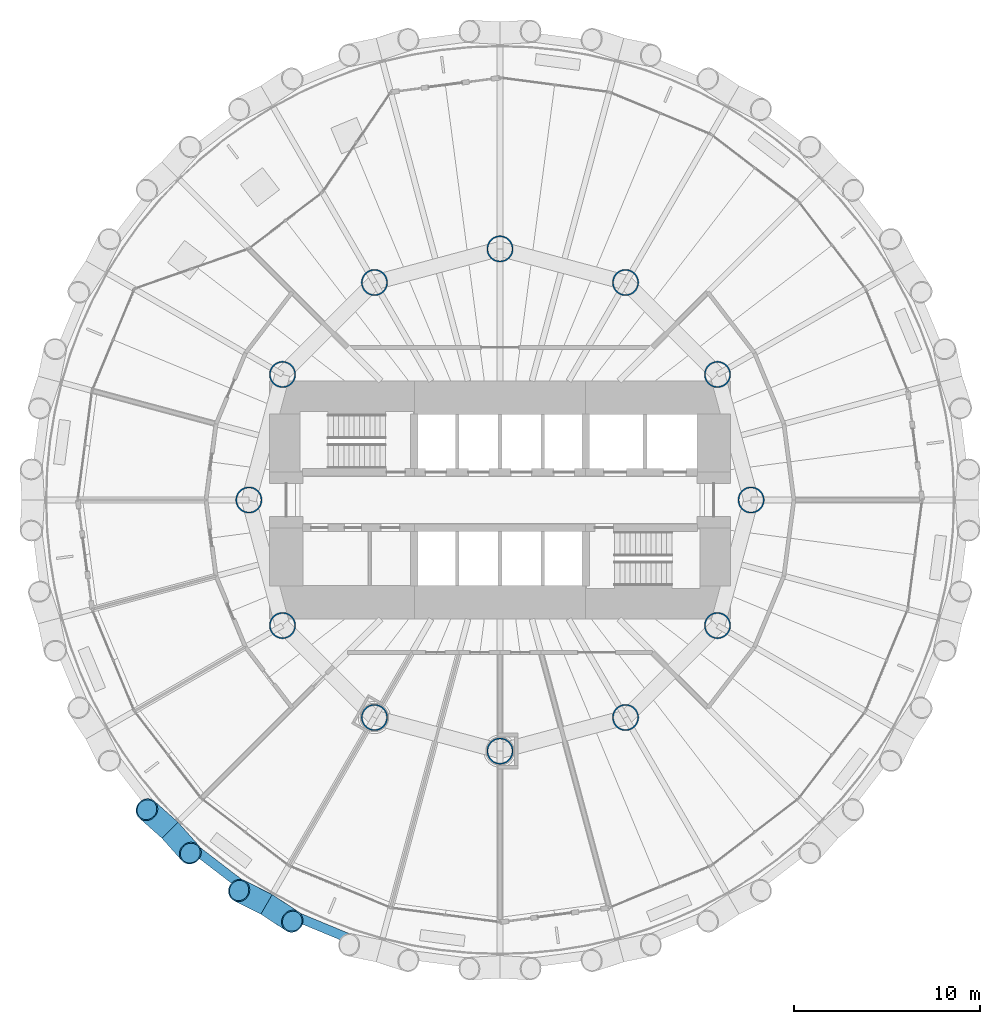
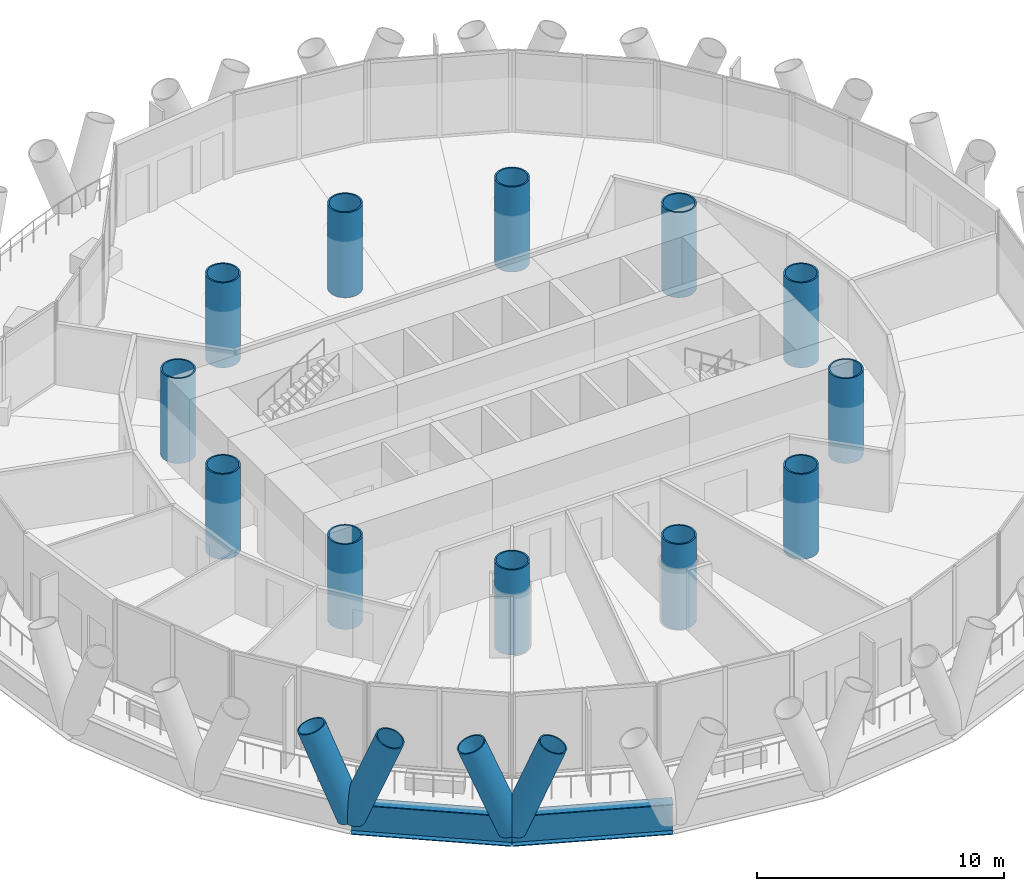
# One storey, part 1 of 14: 12 columns, 4 members, 2 beams.
"""IFC4 building model written with IfcOpenShell, lengths in metres."""

from ifc_helpers import new_model, si_unit, direction, frame, origin, origin_2d, place, context, subcontext, project, spatial, hollow_circle, i_section, extrude, material, material_profile, profile_set, type_object, element, save


model = new_model("IFC4")

# Units and contexts
model_context = context("Model", 3, precision=1e-05, world=origin(), true_north=direction((0.0, 1.0)))
body_context = subcontext(model_context, "Body", "Model", "MODEL_VIEW")
ifc_project = project(units=[si_unit("LENGTHUNIT", "METRE"), si_unit("AREAUNIT", "SQUARE_METRE"), si_unit("VOLUMEUNIT", "CUBIC_METRE"), si_unit("PLANEANGLEUNIT", "RADIAN"), si_unit("MASSUNIT", "GRAM", prefix="KILO")], contexts=[model_context])

# Site, building, storey
site_placement = place(None, origin())
site = spatial("IfcSite", under=ifc_project, at=site_placement, CompositionType="ELEMENT")
building_placement = place(site_placement, origin())
building = spatial("IfcBuilding", under=site, at=building_placement, Name="Qaws Media Tower", CompositionType="ELEMENT")
storey_placement = place(building_placement, frame((0.0, 0.0, 59.60009765625)))
storey = spatial("IfcBuildingStorey", under=building, at=storey_placement, Name="L12", CompositionType="ELEMENT", Elevation=59.60009765625)

# Columns
ifc_material_1 = material(Name="Steel S460", Category="steel")
ifc_material_profile_1 = material_profile(ifc_material_1, hollow_circle(Radius=0.7109375, WallThickness=0.070068359375, at=origin_2d()), Name="CHS 1422x70")
ifc_profile_set_1 = profile_set([ifc_material_profile_1], Name="Steel S460")
column_type = type_object("IfcColumnType", Name="Inner column CHS 1422x70", PredefinedType="COLUMN", material=ifc_profile_set_1)
for number, where, z_axis, x_axis, name in (
    (1, (73.5, 50.0, 0.0), (0.0, 0.0, 1.0), (1.0, 0.0, 0.0), "C5 inner column I01 L12"),
    (2, (71.69140625, 56.75, 0.0), (0.0, 0.0, 1.0), (1.0, 0.0, 0.0), "C5 inner column I02 L12"),
    (3, (66.75, 61.69140625, 0.0), (0.0, 0.0, 1.0), (1.0, 0.0, 0.0), "C5 inner column I03 L12"),
    (4, (60.0, 63.5, 0.0), (0.0, 0.0, 1.0), (1.0, 0.0, 0.0), "C5 inner column I04 L12"),
    (5, (53.25, 61.69140625, 0.0), (0.0, 0.0, 1.0), (1.0, 0.0, 0.0), "C5 inner column I05 L12"),
    (6, (48.30859375, 56.75, 0.0), (0.0, 0.0, 1.0), (1.0, 0.0, 0.0), "C5 inner column I06 L12"),
    (7, (46.5, 50.0, 0.0), (0.0, 0.0, 1.0), (1.0, 0.0, 0.0), "C5 inner column I07 L12"),
    (8, (48.30859375, 43.25, 0.0), (0.0, 0.0, 1.0), (1.0, 0.0, 0.0), "C5 inner column I08 L12"),
    (9, (53.25, 38.30859375, 0.0), (0.0, 0.0, 1.0), (1.0, 0.0, 0.0), "C5 inner column I09 L12"),
    (10, (60.0, 36.5, 0.0), (0.0, 0.0, 1.0), (1.0, 0.0, 0.0), "C5 inner column I10 L12"),
    (11, (66.75, 38.30859375, 0.0), (0.0, 0.0, 1.0), (1.0, 0.0, 0.0), "C5 inner column I11 L12"),
    (12, (71.69140625, 43.25, 0.0), (0.0, 0.0, 1.0), (1.0, 0.0, 0.0), "C5 inner column I12 L12"),
):
    element("IfcColumn", number, at=place(storey_placement, frame(where, z_axis=z_axis, x_axis=x_axis)), inside=storey, type_object=column_type, Name=name, PredefinedType="COLUMN", context=body_context, shape_type="SweptSolid", body=[
        extrude(hollow_circle(Radius=0.7109375, WallThickness=0.070068359375, at=origin_2d()), origin(), (0.0, 0.0, 1.0), 4.199951171875),
    ])

# Members
ifc_material_2 = material(Name="Steel S460", Category="steel")
ifc_material_profile_2 = material_profile(ifc_material_2, hollow_circle(Radius=0.609619140625, WallThickness=0.06005859375, at=origin_2d()), Name="CHS 1219x60")
ifc_profile_set_2 = profile_set([ifc_material_profile_2], Name="Steel S460")
member_type = type_object("IfcMemberType", Name="Diagrid member CHS 1219x60", PredefinedType="USERDEFINED", material=ifc_profile_set_2)
for number, where, z_axis, x_axis, name in (
    (13, (42.251708984375, 32.251708984375, -0.91015625), (0.243655243195, -0.273726789303, 0.930433107365), (0.746944996152, 0.664885834354, 0.0), "DG1 diagrid L12 A16"),
    (14, (42.251708984375, 32.251708984375, -0.91015625), (-0.273726789303, 0.243655243195, 0.930433107365), (-0.664885834354, -0.746944996152, 0.0), "DG1 diagrid L12 B16"),
    (15, (47.449951171875, 28.2626953125, -0.91015625), (0.306230937512, -0.201305466164, 0.930429321444), (0.549307457757, 0.835620318597, 0.0), "DG1 diagrid L12 A17"),
    (16, (47.449951171875, 28.2626953125, -0.91015625), (-0.327435652555, 0.164529113821, 0.930438640718), (-0.448983858179, -0.893539867658, 0.0), "DG1 diagrid L12 B17"),
):
    element("IfcMember", number, at=place(storey_placement, frame(where, z_axis=z_axis, x_axis=x_axis)), inside=storey, type_object=member_type, Name=name, ObjectType="DIAGRID", PredefinedType="USERDEFINED", context=body_context, shape_type="SweptSolid", body=[
        extrude(hollow_circle(Radius=0.609619140625, WallThickness=0.06005859375, at=origin_2d()), origin(), (0.0, 0.0, 1.0), 4.513916015625),
    ])

# Beams
ifc_material_3 = material(Name="Steel S460", Category="steel")
ifc_material_profile_3 = material_profile(ifc_material_3, i_section(OverallWidth=0.5, OverallDepth=1.5, WebThickness=0.02001953125, FlangeThickness=0.0400390625, at=origin_2d()), Name="PG 1500x500")
ifc_profile_set_3 = profile_set([ifc_material_profile_3], Name="Steel S460")
beam_type = type_object("IfcBeamType", Name="Edge ring beam PG 1500x500", PredefinedType="BEAM", material=ifc_profile_set_3)
for number, where, z_axis, x_axis, name in (
    (17, (42.251708984375, 32.251708984375, -0.91015625), (0.793334017296, -0.608786610398, 0.0), (0.608786610398, 0.793334017296, 0.0), "RB4 edge ring beam L12-16"),
    (18, (47.449951171875, 28.2626953125, -0.91015625), (0.923890590997, -0.382656733729, 0.0), (0.382656733729, 0.923890590997, 0.0), "RB4 edge ring beam L12-17"),
):
    element("IfcBeam", number, at=place(storey_placement, frame(where, z_axis=z_axis, x_axis=x_axis)), inside=storey, type_object=beam_type, Name=name, PredefinedType="BEAM", context=body_context, shape_type="SweptSolid", body=[
        extrude(i_section(OverallWidth=0.5, OverallDepth=1.5, WebThickness=0.02001953125, FlangeThickness=0.0400390625, at=origin_2d()), origin(), (0.0, 0.0, 1.0), 6.552490234375),
    ])

save(model, "model.ifc")
